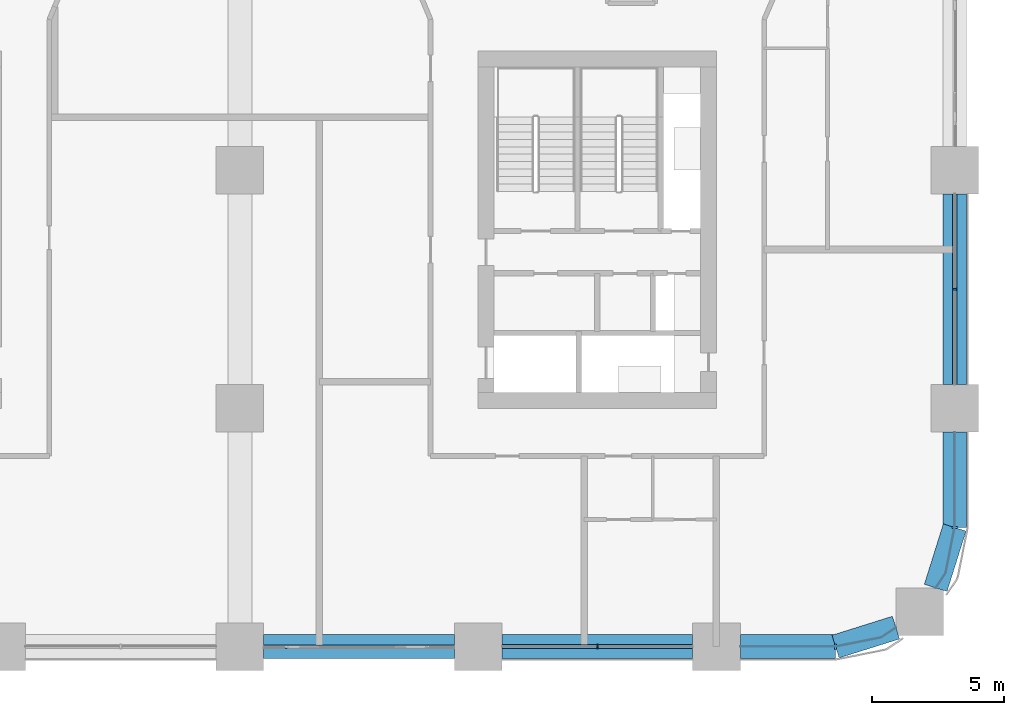
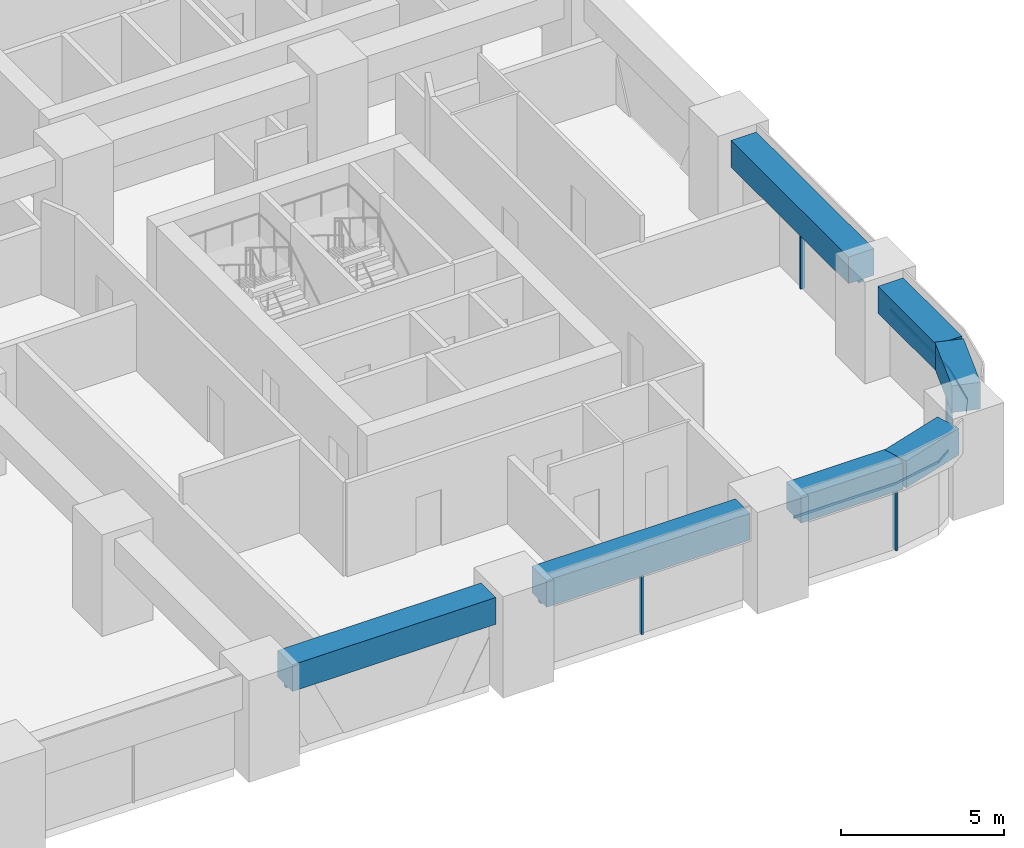
# One storey, part 4 of 21: 9 members, 7 beams, 5 elements without a shape of their own.
"""IFC4 building model written with IfcOpenShell, lengths in metres."""

from ifc_helpers import new_model, si_unit, direction, frame, origin, origin_2d, place, context, subcontext, project, spatial, polyline, rectangle, outline, extrude, material, material_profile, profile_set, type_object, element, aggregate, save


model = new_model("IFC4")

# Units and contexts
model_context = context("Model", 3, precision=1e-05, world=origin(), true_north=direction((0.0, 1.0)))
body_context = subcontext(model_context, "Body", "Model", "MODEL_VIEW")
ifc_project = project(units=[si_unit("LENGTHUNIT", "METRE"), si_unit("AREAUNIT", "SQUARE_METRE"), si_unit("VOLUMEUNIT", "CUBIC_METRE"), si_unit("PLANEANGLEUNIT", "RADIAN"), si_unit("MASSUNIT", "GRAM", prefix="KILO")], contexts=[model_context])

# Site, building, storey
site_placement = place(None, origin())
site = spatial("IfcSite", under=ifc_project, at=site_placement, CompositionType="ELEMENT")
building_placement = place(site_placement, origin())
building = spatial("IfcBuilding", under=site, at=building_placement, Name="Tessera Arch", CompositionType="ELEMENT")
storey_placement = place(building_placement, frame((0.0, 0.0, 42.39990234375)))
storey = spatial("IfcBuildingStorey", under=building, at=storey_placement, Name="L08", CompositionType="ELEMENT", Elevation=42.39990234375)

# Curtain wall, member
ifc_material_1 = material(Name="CW1 curtain wall")
curtain_wall_type_1 = type_object("IfcCurtainWallType", Name="CW1 curtain wall", PredefinedType="NOTDEFINED", material=ifc_material_1)
curtain_wall_1_placement = place(storey_placement, origin())
curtain_wall_1 = element("IfcCurtainWall", 1, at=curtain_wall_1_placement, inside=storey, type_object=curtain_wall_type_1, Name="CW1 curtain wall S0.0/3 L08", PredefinedType="NOTDEFINED")
ifc_material_2 = material(Name="Anodised aluminium pale metal", Category="aluminium")
ifc_material_profile_1 = material_profile(ifc_material_2, rectangle(XDim=0.159912109375, YDim=0.06005859375, at=origin_2d()), Name="AL 60x160")
ifc_profile_set_1 = profile_set([ifc_material_profile_1], Name="Anodised aluminium pale metal")
member_type_1 = type_object("IfcMemberType", Name="CW1 mullion", PredefinedType="MULLION", material=ifc_profile_set_1)
member_1_placement = place(storey_placement, frame((40.5, 0.0, 0.0), z_axis=(0.0, 0.0, 1.0), x_axis=(0.0, 1.0, 0.0)))
member_1 = element("IfcMember", 2, at=member_1_placement, type_object=member_type_1, Name="CW1 mullion S0.0/3 1", PredefinedType="MULLION", context=body_context, shape_type="SweptSolid", body=[
    extrude(rectangle(XDim=0.159912109375, YDim=0.06005859375, at=origin_2d()), origin(), (0.0, 0.0, 1.0), 2.400146484375),
])

curtain_wall_2_placement = place(storey_placement, origin())
curtain_wall_2 = element("IfcCurtainWall", 3, at=curtain_wall_2_placement, inside=storey, type_object=curtain_wall_type_1, Name="CW1 curtain wall E54.0/1 L08", PredefinedType="NOTDEFINED")
member_2_placement = place(storey_placement, frame((54.0, 13.5, 0.0), z_axis=(0.0, 0.0, 1.0), x_axis=(-1.0, 0.0, 0.0)))
member_2 = element("IfcMember", 4, at=member_2_placement, type_object=member_type_1, Name="CW1 mullion E54.0/1 1", PredefinedType="MULLION", context=body_context, shape_type="SweptSolid", body=[
    extrude(rectangle(XDim=0.159912109375, YDim=0.06005859375, at=origin_2d()), origin(), (0.0, 0.0, 1.0), 2.400146484375),
])

# Member
ifc_material_3 = material(Name="Anodised aluminium pale metal", Category="aluminium")
ifc_material_profile_2 = material_profile(ifc_material_3, rectangle(XDim=0.159912109375, YDim=0.10009765625, at=origin_2d()), Name="AL 160x100")
ifc_profile_set_2 = profile_set([ifc_material_profile_2], Name="Anodised aluminium pale metal")
member_type_2 = type_object("IfcMemberType", Name="CW1 transom", PredefinedType="USERDEFINED", material=ifc_profile_set_2)
member_3_placement = place(storey_placement, frame((36.89990234375, 0.0, 2.4501953125), z_axis=(1.0, 0.0, 0.0), x_axis=(0.0, 1.0, 0.0)))
member_3 = element("IfcMember", 5, at=member_3_placement, type_object=member_type_2, Name="CW1 transom S0.0/3 1.1", ObjectType="TRANSOM", PredefinedType="USERDEFINED", context=body_context, shape_type="SweptSolid", body=[
    extrude(rectangle(XDim=0.159912109375, YDim=0.10009765625, at=origin_2d()), origin(), (0.0, 0.0, 1.0), 7.2001953125),
])

aggregate(curtain_wall_1, [member_1, member_3])

member_4_placement = place(storey_placement, frame((54.0, 9.89990234375, 2.4501953125), z_axis=(0.0, 1.0, 0.0), x_axis=(-1.0, 0.0, 0.0)))
member_4 = element("IfcMember", 6, at=member_4_placement, type_object=member_type_2, Name="CW1 transom E54.0/1 1.1", ObjectType="TRANSOM", PredefinedType="USERDEFINED", context=body_context, shape_type="SweptSolid", body=[
    extrude(rectangle(XDim=0.159912109375, YDim=0.10009765625, at=origin_2d()), origin(), (0.0, 0.0, 1.0), 7.2001953125),
])

aggregate(curtain_wall_2, [member_2, member_4])

# Curtain wall, member
ifc_material_4 = material(Name="CW2 curtain wall")
curtain_wall_type_2 = type_object("IfcCurtainWallType", Name="CW2 curtain wall", PredefinedType="NOTDEFINED", material=ifc_material_4)
curtain_wall_3_placement = place(storey_placement, origin())
curtain_wall_3 = element("IfcCurtainWall", 7, at=curtain_wall_3_placement, inside=storey, type_object=curtain_wall_type_2, Name="CW2 curtain wall S0.0/4 L08", PredefinedType="NOTDEFINED")
ifc_material_5 = material(Name="Anodised aluminium pale metal", Category="aluminium")
ifc_material_profile_3 = material_profile(ifc_material_5, rectangle(XDim=0.199951171875, YDim=0.080078125, at=origin_2d()), Name="AL 80x200")
ifc_profile_set_3 = profile_set([ifc_material_profile_3], Name="Anodised aluminium pale metal")
member_type_3 = type_object("IfcMemberType", Name="CW2 mullion", PredefinedType="MULLION", material=ifc_profile_set_3)
member_5_placement = place(storey_placement, frame((49.5, 0.0, 0.0), z_axis=(0.0, 0.0, 1.0), x_axis=(0.0, 1.0, 0.0)))
member_5 = element("IfcMember", 8, at=member_5_placement, type_object=member_type_3, Name="CW2 mullion S0.0/4 1", PredefinedType="MULLION", context=body_context, shape_type="SweptSolid", body=[
    extrude(rectangle(XDim=0.199951171875, YDim=0.080078125, at=origin_2d()), origin(), (0.0, 0.0, 1.0), 2.400146484375),
])

curtain_wall_4_placement = place(storey_placement, origin())
curtain_wall_4 = element("IfcCurtainWall", 9, at=curtain_wall_4_placement, inside=storey, type_object=curtain_wall_type_2, Name="CW2 curtain wall E54.0/0 L08", PredefinedType="NOTDEFINED")
member_6_placement = place(storey_placement, frame((54.0, 4.5, 0.0), z_axis=(0.0, 0.0, 1.0), x_axis=(-1.0, 0.0, 0.0)))
member_6 = element("IfcMember", 10, at=member_6_placement, type_object=member_type_3, Name="CW2 mullion E54.0/0 1", PredefinedType="MULLION", context=body_context, shape_type="SweptSolid", body=[
    extrude(rectangle(XDim=0.199951171875, YDim=0.080078125, at=origin_2d()), origin(), (0.0, 0.0, 1.0), 2.400146484375),
])

# Member
ifc_material_6 = material(Name="Anodised aluminium pale metal", Category="aluminium")
ifc_material_profile_4 = material_profile(ifc_material_6, rectangle(XDim=0.199951171875, YDim=0.10009765625, at=origin_2d()), Name="AL 200x100")
ifc_profile_set_4 = profile_set([ifc_material_profile_4], Name="Anodised aluminium pale metal")
member_type_4 = type_object("IfcMemberType", Name="CW2 transom", PredefinedType="USERDEFINED", material=ifc_profile_set_4)
member_7_placement = place(storey_placement, frame((0.0, 0.0, 2.400146484375)))
member_7 = element("IfcMember", 11, at=member_7_placement, type_object=member_type_4, Name="CW2 transom S0.0/4 1", ObjectType="TRANSOM", PredefinedType="USERDEFINED", context=body_context, shape_type="SweptSolid", body=[
    extrude(outline(polyline([(49.4990234375, 0.010009765625), (45.89990234375, 0.010009765625), (45.89990234375, -0.010009765625), (49.5009765625, -0.010009765625), (51.22607421875, 0.3330078125), (51.78759765625, 0.70849609375), (51.7763671875, 0.72509765625), (51.21826171875, 0.351806640625), (49.4990234375, 0.010009765625)])), origin(), (0.0, 0.0, 1.0), 0.099853515625),
])

aggregate(curtain_wall_3, [member_5, member_7])

member_8_placement = place(storey_placement, frame((0.0, 0.0, 2.400146484375)))
member_8 = element("IfcMember", 12, at=member_8_placement, type_object=member_type_4, Name="CW2 transom E54.0/0 1", ObjectType="TRANSOM", PredefinedType="USERDEFINED", context=body_context, shape_type="SweptSolid", body=[
    extrude(outline(polyline([(53.648193359375, 2.78173828125), (53.27490234375, 2.2236328125), (53.29150390625, 2.21240234375), (53.6669921875, 2.77392578125), (54.010009765625, 4.4990234375), (54.010009765625, 8.10009765625), (53.989990234375, 8.10009765625), (53.989990234375, 4.5009765625), (53.648193359375, 2.78173828125)])), origin(), (0.0, 0.0, 1.0), 0.099853515625),
])

aggregate(curtain_wall_4, [member_6, member_8])

# Curtain wall, member
ifc_material_7 = material(Name="CW3 curtain wall")
curtain_wall_type_3 = type_object("IfcCurtainWallType", Name="CW3 curtain wall", PredefinedType="NOTDEFINED", material=ifc_material_7)
curtain_wall_5_placement = place(storey_placement, origin())
curtain_wall_5 = element("IfcCurtainWall", 13, at=curtain_wall_5_placement, inside=storey, type_object=curtain_wall_type_3, Name="CW3 curtain wall S0.0/2 L08", PredefinedType="NOTDEFINED")
ifc_material_8 = material(Name="Anodised aluminium pale metal", Category="aluminium")
ifc_material_profile_5 = material_profile(ifc_material_8, rectangle(XDim=0.139892578125, YDim=0.10009765625, at=origin_2d()), Name="AL 140x100")
ifc_profile_set_5 = profile_set([ifc_material_profile_5], Name="Anodised aluminium pale metal")
member_type_5 = type_object("IfcMemberType", Name="CW3 transom", PredefinedType="USERDEFINED", material=ifc_profile_set_5)
member_9_placement = place(storey_placement, frame((27.89990234375, 0.0, 2.4501953125), z_axis=(1.0, 0.0, 0.0), x_axis=(0.0, 1.0, 0.0)))
member_9 = element("IfcMember", 14, at=member_9_placement, type_object=member_type_5, Name="CW3 transom S0.0/2 1.1", ObjectType="TRANSOM", PredefinedType="USERDEFINED", context=body_context, shape_type="SweptSolid", body=[
    extrude(rectangle(XDim=0.139892578125, YDim=0.10009765625, at=origin_2d()), origin(), (0.0, 0.0, 1.0), 7.2001953125),
])
aggregate(curtain_wall_5, [member_9])

# Beams
ifc_material_9 = material(Name="Concrete C80/95", Category="concrete")
ifc_material_profile_6 = material_profile(ifc_material_9, rectangle(XDim=0.89990234375, YDim=1.0, at=origin_2d()), Name="RC spandrel beam 900 x 1000 Concrete C80/95")
ifc_profile_set_6 = profile_set([ifc_material_profile_6], Name="Concrete C80/95")
beam_type = type_object("IfcBeamType", Name="RC spandrel beam 900 x 1000 Concrete C80/95", PredefinedType="BEAM", material=ifc_profile_set_6)
for number, where, z_axis, x_axis, name in (
    (15, (27.89990234375, 0.0, 3.0), (1.0, 0.0, 0.0), (0.0, 1.0, 0.0), "Spandrel beam L08 S0.0/2"),
    (16, (36.89990234375, 0.0, 3.0), (1.0, 0.0, 0.0), (0.0, 1.0, 0.0), "Spandrel beam L08 S0.0/3"),
):
    element("IfcBeam", number, at=place(storey_placement, frame(where, z_axis=z_axis, x_axis=x_axis)), inside=storey, type_object=beam_type, Name=name, PredefinedType="BEAM", context=body_context, shape_type="SweptSolid", body=[
        extrude(rectangle(XDim=0.89990234375, YDim=1.0, at=origin_2d()), origin(), (0.0, 0.0, 1.0), 7.2001953125),
    ])
beam_1_placement = place(storey_placement, frame((45.89990234375, 0.0, 3.0), z_axis=(1.0, 0.0, 0.0), x_axis=(0.0, 1.0, 0.0)))
element("IfcBeam", 17, at=beam_1_placement, inside=storey, type_object=beam_type, Name="Spandrel beam L08 S0.0/4.1", PredefinedType="BEAM", context=body_context, shape_type="SweptSolid", body=[
    extrude(rectangle(XDim=0.89990234375, YDim=1.0, at=origin_2d()), origin(), (0.0, 0.0, 1.0), 3.60009765625),
])
for number, where, z_axis, x_axis, name in (
    (18, (49.5, 0.0, 3.0), (0.954041251279, 0.299675309057, 0.0), (-0.299675309057, 0.954041251279, 0.0), "Spandrel beam L08 S0.0/4.2"),
    (19, (53.283203125, 2.218017578125, 3.0), (0.299675309057, 0.954041251279, 0.0), (-0.954041251279, 0.299675309057, 0.0), "Spandrel beam L08 E54.0/0.1"),
):
    element("IfcBeam", number, at=place(storey_placement, frame(where, z_axis=z_axis, x_axis=x_axis)), inside=storey, type_object=beam_type, Name=name, PredefinedType="BEAM", context=body_context, shape_type="SweptSolid", body=[
        extrude(rectangle(XDim=0.89990234375, YDim=1.0, at=origin_2d()), origin(), (0.0, 0.0, 1.0), 2.391845703125),
    ])
beam_2_placement = place(storey_placement, frame((54.0, 4.5, 3.0), z_axis=(0.0, 1.0, 0.0), x_axis=(-1.0, 0.0, 0.0)))
element("IfcBeam", 20, at=beam_2_placement, inside=storey, type_object=beam_type, Name="Spandrel beam L08 E54.0/0.2", PredefinedType="BEAM", context=body_context, shape_type="SweptSolid", body=[
    extrude(rectangle(XDim=0.89990234375, YDim=1.0, at=origin_2d()), origin(), (0.0, 0.0, 1.0), 3.60009765625),
])
beam_3_placement = place(storey_placement, frame((54.0, 9.89990234375, 3.0), z_axis=(0.0, 1.0, 0.0), x_axis=(-1.0, 0.0, 0.0)))
element("IfcBeam", 21, at=beam_3_placement, inside=storey, type_object=beam_type, Name="Spandrel beam L08 E54.0/1", PredefinedType="BEAM", context=body_context, shape_type="SweptSolid", body=[
    extrude(rectangle(XDim=0.89990234375, YDim=1.0, at=origin_2d()), origin(), (0.0, 0.0, 1.0), 7.2001953125),
])

save(model, "model.ifc")
